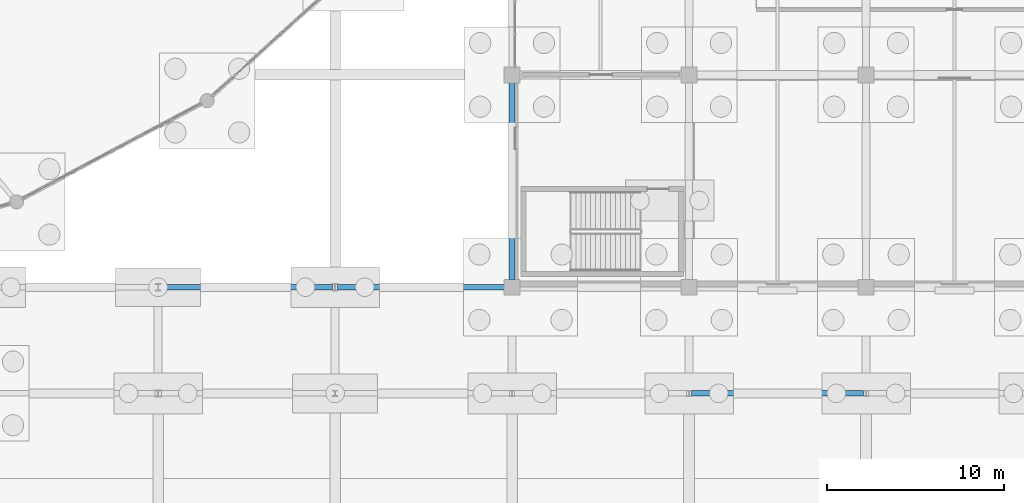
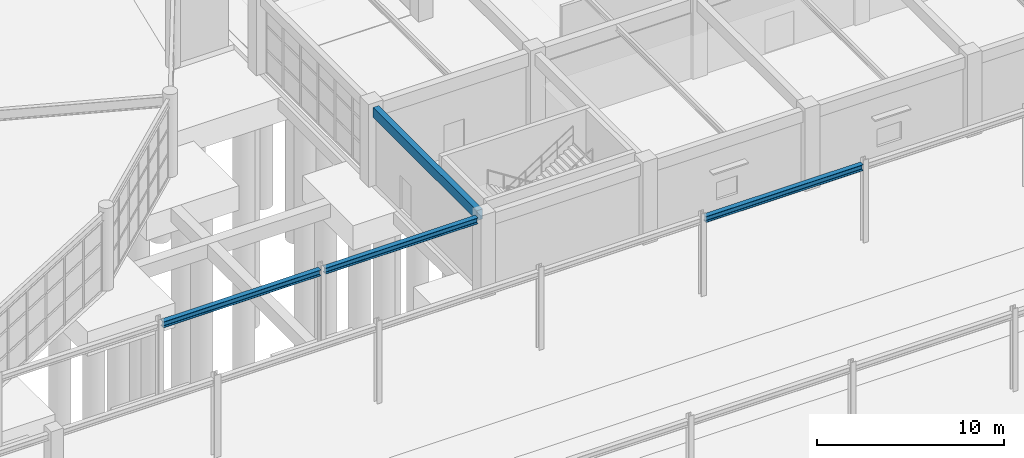
# One storey, part 36 of 99: 4 beams.
"""IFC4 building model written with IfcOpenShell, lengths in metres."""

from ifc_helpers import new_model, si_unit, direction, frame, origin, origin_2d, place, context, subcontext, project, spatial, rectangle, i_section, extrude, material, material_profile, profile_set, type_object, element, save


model = new_model("IFC4")

# Units and contexts
model_context = context("Model", 3, precision=1e-05, world=origin(), true_north=direction((0.0, 1.0)))
body_context = subcontext(model_context, "Body", "Model", "MODEL_VIEW")
ifc_project = project(units=[si_unit("LENGTHUNIT", "METRE"), si_unit("AREAUNIT", "SQUARE_METRE"), si_unit("VOLUMEUNIT", "CUBIC_METRE"), si_unit("PLANEANGLEUNIT", "RADIAN"), si_unit("MASSUNIT", "GRAM", prefix="KILO")], contexts=[model_context])

# Site, building, storey
site_placement = place(None, origin())
site = spatial("IfcSite", under=ifc_project, at=site_placement, CompositionType="ELEMENT")
building_placement = place(site_placement, origin())
building = spatial("IfcBuilding", under=site, at=building_placement, Name="Kivolera Central Railway Station", CompositionType="ELEMENT")
storey_placement = place(building_placement, origin())
storey = spatial("IfcBuildingStorey", under=building, at=storey_placement, Name="L00", CompositionType="ELEMENT", Elevation=0.0)

# Beams
ifc_material_1 = material(Name="Steel S355", Category="steel")
ifc_material_profile_1 = material_profile(ifc_material_1, i_section(OverallWidth=0.300048828125, OverallDepth=0.389892578125, WebThickness=0.010986328125, FlangeThickness=0.01904296875, FilletRadius=0.027099609375, at=origin_2d()), Name="HEA 400")
ifc_profile_set_1 = profile_set([ifc_material_profile_1], Name="Steel S355")
beam_type_1 = type_object("IfcBeamType", Name="BM-SHD-HEA400", PredefinedType="BEAM", material=ifc_profile_set_1)
beam_1_placement = place(storey_placement, frame((128.14697265625, 48.0, 4.919921875), z_axis=(1.0, 0.0, 0.0), x_axis=(0.0, 1.0, 0.0)))
element("IfcBeam", 1, at=beam_1_placement, inside=storey, type_object=beam_type_1, Name="Train Shed Longitudinal Tie Beam D:13-14", PredefinedType="BEAM", context=body_context, shape_type="SweptSolid", body=[
    extrude(i_section(OverallWidth=0.300048828125, OverallDepth=0.389892578125, WebThickness=0.010986328125, FlangeThickness=0.01904296875, FilletRadius=0.027099609375, at=origin_2d()), origin(), (0.0, 0.0, 1.0), 9.7060546875),
])
beam_2_placement = place(storey_placement, frame((98.136962890625, 54.0, 4.919921875), z_axis=(1.0, 0.0, 0.0), x_axis=(0.0, 1.0, 0.0)))
element("IfcBeam", 2, at=beam_2_placement, inside=storey, type_object=beam_type_1, Name="Train Shed Longitudinal Tie Beam E:10-11", PredefinedType="BEAM", context=body_context, shape_type="SweptSolid", body=[
    extrude(i_section(OverallWidth=0.300048828125, OverallDepth=0.389892578125, WebThickness=0.010986328125, FlangeThickness=0.01904296875, FilletRadius=0.027099609375, at=origin_2d()), origin(), (0.0, 0.0, 1.0), 9.72607421875),
])
beam_3_placement = place(storey_placement, frame((108.136962890625, 54.0, 4.919921875), z_axis=(1.0, 0.0, 0.0), x_axis=(0.0, 1.0, 0.0)))
element("IfcBeam", 3, at=beam_3_placement, inside=storey, type_object=beam_type_1, Name="Train Shed Longitudinal Tie Beam E:11-12", PredefinedType="BEAM", context=body_context, shape_type="SweptSolid", body=[
    extrude(i_section(OverallWidth=0.300048828125, OverallDepth=0.389892578125, WebThickness=0.010986328125, FlangeThickness=0.01904296875, FilletRadius=0.027099609375, at=origin_2d()), origin(), (0.0, 0.0, 1.0), 9.421142578125),
])
ifc_material_2 = material(Name="Concrete C40/50", Category="concrete")
ifc_material_profile_2 = material_profile(ifc_material_2, rectangle(XDim=0.35009765625, YDim=0.64990234375, at=origin_2d()), Name="RC 350x650")
ifc_profile_set_2 = profile_set([ifc_material_profile_2], Name="Concrete C40/50")
beam_type_2 = type_object("IfcBeamType", Name="BM-SPN-RC650", PredefinedType="SPANDREL", material=ifc_profile_set_2)
beam_4_placement = place(storey_placement, frame((118.0, 54.44189453125, 4.794921875), z_axis=(0.0, 1.0, 0.0), x_axis=(-1.0, 0.0, 0.0)))
element("IfcBeam", 4, at=beam_4_placement, inside=storey, type_object=beam_type_2, Name="L00 Wing Y-Beam 12:E-F", PredefinedType="SPANDREL", context=body_context, shape_type="SweptSolid", body=[
    extrude(rectangle(XDim=0.35009765625, YDim=0.64990234375, at=origin_2d()), origin(), (0.0, 0.0, 1.0), 11.1162109375),
])

save(model, "model.ifc")
